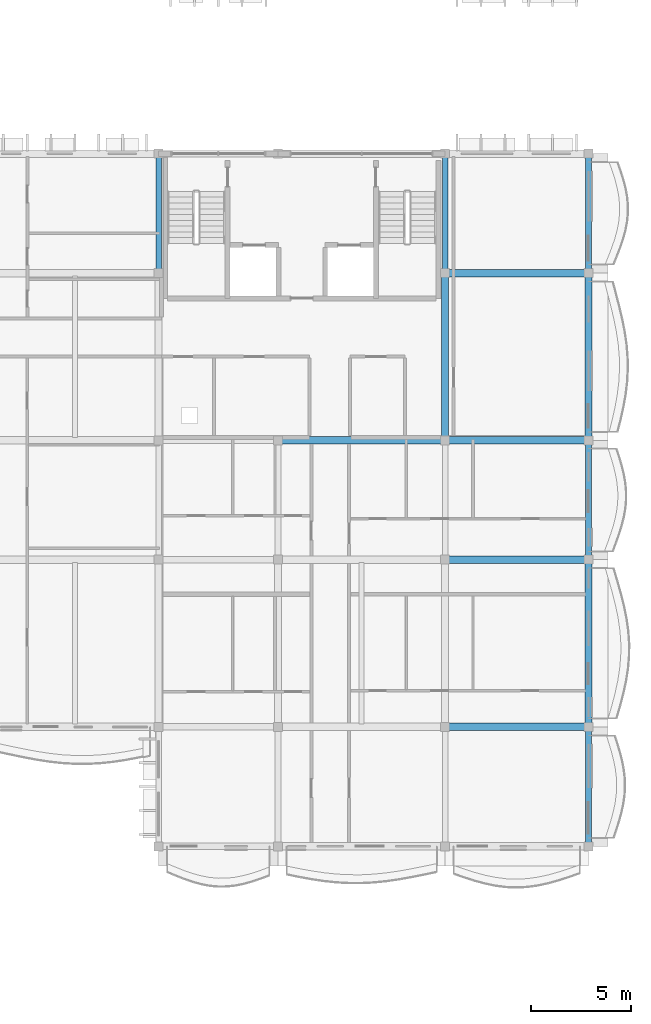
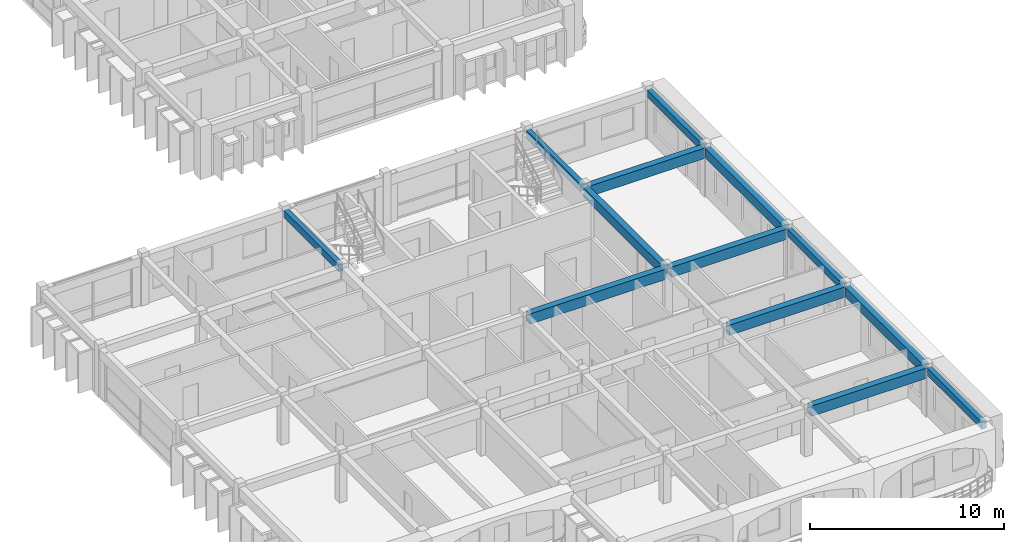
# One storey, part 14 of 76: 13 beams.
"""IFC4 building model written with IfcOpenShell, lengths in metres."""

from ifc_helpers import new_model, si_unit, direction, frame, origin, origin_2d, place, context, subcontext, project, spatial, rectangle, extrude, material, material_profile, profile_set, type_object, element, save


model = new_model("IFC4")

# Units and contexts
model_context = context("Model", 3, precision=1e-05, world=origin(), true_north=direction((0.0, 1.0)))
body_context = subcontext(model_context, "Body", "Model", "MODEL_VIEW")
ifc_project = project(units=[si_unit("LENGTHUNIT", "METRE"), si_unit("AREAUNIT", "SQUARE_METRE"), si_unit("VOLUMEUNIT", "CUBIC_METRE"), si_unit("PLANEANGLEUNIT", "RADIAN"), si_unit("MASSUNIT", "GRAM", prefix="KILO"), si_unit("THERMODYNAMICTEMPERATUREUNIT", "KELVIN")], contexts=[model_context])

# Site, building, storey
site_placement = place(None, origin())
site = spatial("IfcSite", under=ifc_project, at=site_placement, CompositionType="ELEMENT")
building_placement = place(site_placement, origin())
building = spatial("IfcBuilding", under=site, at=building_placement, Name="Thalorik Housing Commons", CompositionType="ELEMENT")
storey_placement = place(building_placement, frame((0.0, 0.0, 18.0)))
storey = spatial("IfcBuildingStorey", under=building, at=storey_placement, Name="L05", CompositionType="ELEMENT", Elevation=18.0)

# Beams
ifc_material = material(Name="Precast concrete C40/50", Category="concrete")
ifc_material_profile_1 = material_profile(ifc_material, rectangle(XDim=0.280029296875, YDim=0.449951171875, at=origin_2d()), Name="PC 280x450", Category="concrete")
ifc_profile_set_1 = profile_set([ifc_material_profile_1], Name="Precast concrete C40/50")
beam_type_1 = type_object("IfcBeamType", Name="STR-BM-PC280x450", PredefinedType="BEAM", material=ifc_profile_set_1)
for number, where, z_axis, x_axis, name in (
    (1, (152.39990234375, 66.175048828125, 2.81494140625), (0.0, 1.0, 0.0), (-1.0, 0.0, 0.0), "L05 Beam B-450"),
    (2, (166.800048828125, 66.175048828125, 2.81494140625), (0.0, 1.0, 0.0), (-1.0, 0.0, 0.0), "L05 Beam B-450"),
    (3, (174.0, 37.375, 2.81494140625), (0.0, 1.0, 0.0), (-1.0, 0.0, 0.0), "L05 Beam B-450"),
):
    element("IfcBeam", number, at=place(storey_placement, frame(where, z_axis=z_axis, x_axis=x_axis)), inside=storey, type_object=beam_type_1, Name=name, PredefinedType="BEAM", context=body_context, shape_type="SweptSolid", body=[
        extrude(rectangle(XDim=0.280029296875, YDim=0.449951171875, at=origin_2d()), origin(), (0.0, 0.0, 1.0), 5.64990234375),
    ])
beam_1_placement = place(storey_placement, frame((174.0, 51.77490234375, 2.81494140625), z_axis=(0.0, 1.0, 0.0), x_axis=(-1.0, 0.0, 0.0)))
element("IfcBeam", 4, at=beam_1_placement, inside=storey, type_object=beam_type_1, Name="L05 Beam B-450", PredefinedType="BEAM", context=body_context, shape_type="SweptSolid", body=[
    extrude(rectangle(XDim=0.280029296875, YDim=0.449951171875, at=origin_2d()), origin(), (0.0, 0.0, 1.0), 5.650146484375),
])
beam_2_placement = place(storey_placement, frame((174.0, 66.175048828125, 2.81494140625), z_axis=(0.0, 1.0, 0.0), x_axis=(-1.0, 0.0, 0.0)))
element("IfcBeam", 5, at=beam_2_placement, inside=storey, type_object=beam_type_1, Name="L05 Beam B-450", PredefinedType="BEAM", context=body_context, shape_type="SweptSolid", body=[
    extrude(rectangle(XDim=0.280029296875, YDim=0.449951171875, at=origin_2d()), origin(), (0.0, 0.0, 1.0), 5.64990234375),
])
ifc_material_profile_2 = material_profile(ifc_material, rectangle(XDim=0.35009765625, YDim=0.60009765625, at=origin_2d()), Name="PC 350x600", Category="concrete")
ifc_profile_set_2 = profile_set([ifc_material_profile_2], Name="Precast concrete C40/50")
beam_type_2 = type_object("IfcBeamType", Name="STR-BM-PC350x600", PredefinedType="BEAM", material=ifc_profile_set_2)
for number, where, z_axis, x_axis, name in (
    (6, (166.800048828125, 57.77490234375, 2.739990234375), (0.0, 1.0, 0.0), (-1.0, 0.0, 0.0), "L05 Beam B-600"),
    (7, (174.0, 43.375, 2.739990234375), (0.0, 1.0, 0.0), (-1.0, 0.0, 0.0), "L05 Beam B-600"),
    (8, (174.0, 57.77490234375, 2.739990234375), (0.0, 1.0, 0.0), (-1.0, 0.0, 0.0), "L05 Beam B-600"),
):
    element("IfcBeam", number, at=place(storey_placement, frame(where, z_axis=z_axis, x_axis=x_axis)), inside=storey, type_object=beam_type_2, Name=name, PredefinedType="BEAM", context=body_context, shape_type="SweptSolid", body=[
        extrude(rectangle(XDim=0.35009765625, YDim=0.60009765625, at=origin_2d()), origin(), (0.0, 0.0, 1.0), 8.050048828125),
    ])
ifc_material_profile_3 = material_profile(ifc_material, rectangle(XDim=0.3798828125, YDim=0.64990234375, at=origin_2d()), Name="PC 380x650", Category="concrete")
ifc_profile_set_3 = profile_set([ifc_material_profile_3], Name="Precast concrete C40/50")
beam_type_3 = type_object("IfcBeamType", Name="STR-BM-PC380x650", PredefinedType="BEAM", material=ifc_profile_set_3)
for number, where, z_axis, x_axis, name in (
    (9, (166.97509765625, 43.199951171875, 2.715087890625), (1.0, 0.0, 0.0), (0.0, 1.0, 0.0), "L05 Beam B-650"),
    (10, (166.97509765625, 51.60009765625, 2.715087890625), (1.0, 0.0, 0.0), (0.0, 1.0, 0.0), "L05 Beam B-650"),
):
    element("IfcBeam", number, at=place(storey_placement, frame(where, z_axis=z_axis, x_axis=x_axis)), inside=storey, type_object=beam_type_3, Name=name, PredefinedType="BEAM", context=body_context, shape_type="SweptSolid", body=[
        extrude(rectangle(XDim=0.3798828125, YDim=0.64990234375, at=origin_2d()), origin(), (0.0, 0.0, 1.0), 6.849853515625),
    ])
beam_3_placement = place(storey_placement, frame((158.574951171875, 57.60009765625, 2.715087890625), z_axis=(1.0, 0.0, 0.0), x_axis=(0.0, 1.0, 0.0)))
element("IfcBeam", 11, at=beam_3_placement, inside=storey, type_object=beam_type_3, Name="L05 Beam B-650", PredefinedType="BEAM", context=body_context, shape_type="SweptSolid", body=[
    extrude(rectangle(XDim=0.3798828125, YDim=0.64990234375, at=origin_2d()), origin(), (0.0, 0.0, 1.0), 8.050048828125),
])
for number, where, z_axis, x_axis, name in (
    (12, (166.97509765625, 57.60009765625, 2.715087890625), (1.0, 0.0, 0.0), (0.0, 1.0, 0.0), "L05 Beam B-650"),
    (13, (166.97509765625, 66.0, 2.715087890625), (1.0, 0.0, 0.0), (0.0, 1.0, 0.0), "L05 Beam B-650"),
):
    element("IfcBeam", number, at=place(storey_placement, frame(where, z_axis=z_axis, x_axis=x_axis)), inside=storey, type_object=beam_type_3, Name=name, PredefinedType="BEAM", context=body_context, shape_type="SweptSolid", body=[
        extrude(rectangle(XDim=0.3798828125, YDim=0.64990234375, at=origin_2d()), origin(), (0.0, 0.0, 1.0), 6.849853515625),
    ])

save(model, "model.ifc")
